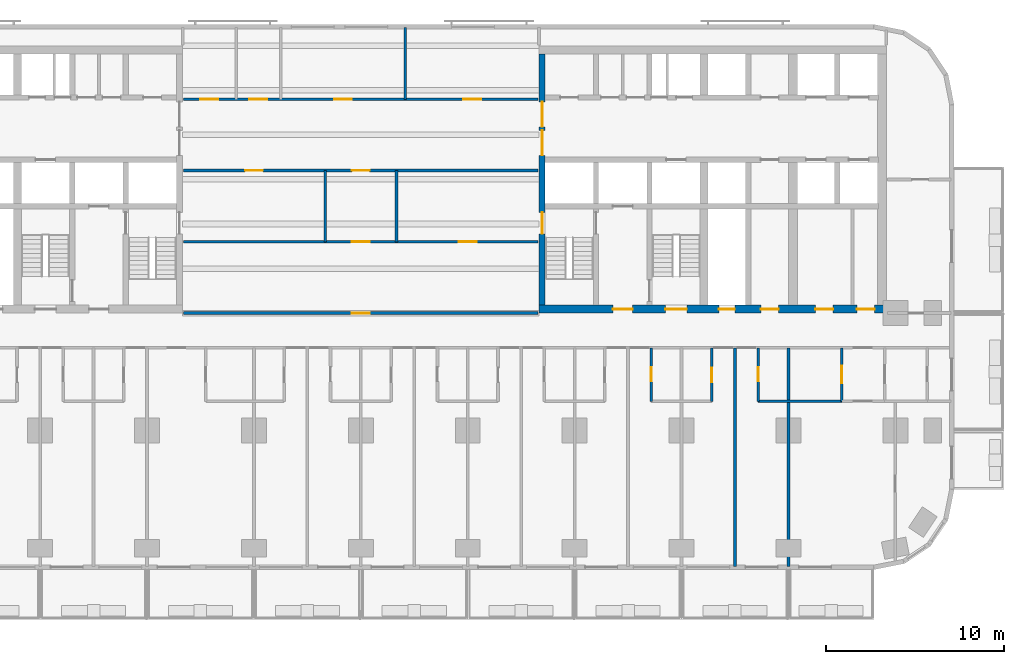
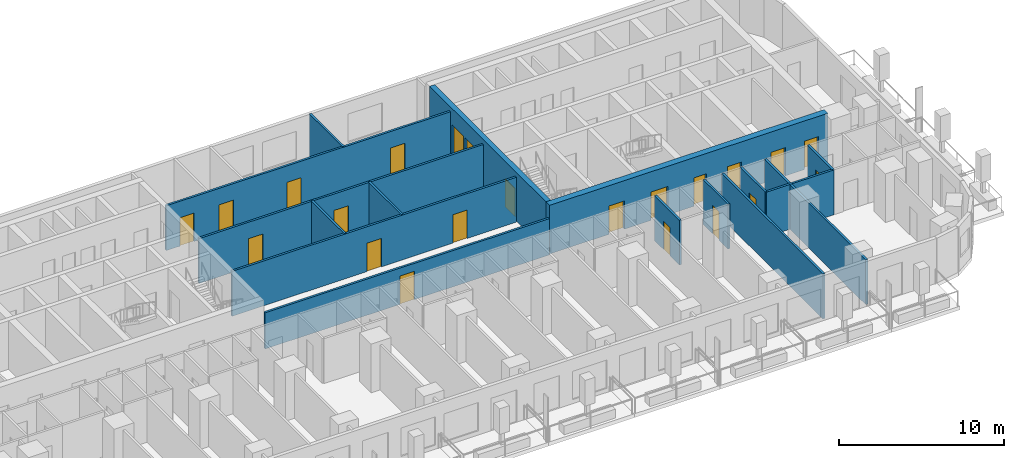
# One storey, part 7 of 15: 22 doors, 16 walls, 22 openings.
"""IFC4 building model written with IfcOpenShell, lengths in metres."""

from ifc_helpers import new_model, si_unit, direction, frame, frame_2d, origin, place, context, subcontext, project, spatial, rectangle, extrude, material, layer, layer_set, type_object, element, fill, save


model = new_model("IFC4")

# Units and contexts
model_context = context("Model", 3, precision=1e-05, world=origin(), true_north=direction((0.0, 1.0)))
body_context = subcontext(model_context, "Body", "Model", "MODEL_VIEW")
ifc_project = project(units=[si_unit("LENGTHUNIT", "METRE"), si_unit("AREAUNIT", "SQUARE_METRE"), si_unit("VOLUMEUNIT", "CUBIC_METRE"), si_unit("PLANEANGLEUNIT", "RADIAN"), si_unit("MASSUNIT", "GRAM", prefix="KILO")], contexts=[model_context])

# Site, building, storey
site_placement = place(None, origin())
site = spatial("IfcSite", under=ifc_project, at=site_placement, CompositionType="ELEMENT")
building_placement = place(site_placement, origin())
building = spatial("IfcBuilding", under=site, at=building_placement, Name="Torana Hotel and Residences", CompositionType="ELEMENT")
storey_placement = place(building_placement, frame((0.0, 0.0, 31.199951171875)))
storey = spatial("IfcBuildingStorey", under=building, at=storey_placement, Name="L06", CompositionType="ELEMENT", Elevation=31.199951171875)

# Wall, openings, doors
ifc_material_1 = material(Name="Concrete C80/95", Category="concrete")
ifc_layer_1 = layer(ifc_material_1, 0.35009765625)
ifc_layer_set_1 = layer_set([ifc_layer_1], Name="CORE WALL 350 C80/95")
wall_type_1 = type_object("IfcWallType", Name="CORE WALL 350 C80/95", PredefinedType="SHEAR", material=ifc_layer_set_1)
wall_1_placement = place(storey_placement, frame((10.175048828125, -14.550048828125, 0.0), z_axis=(0.0, 0.0, 1.0), x_axis=(0.0, 1.0, 0.0)))
wall_1 = element("IfcWall", 1, at=wall_1_placement, inside=storey, type_object=wall_type_1, Name="Core wall E arch", PredefinedType="SHEAR", context=body_context, shape_type="SweptSolid", body=[
    extrude(rectangle(XDim=14.10009765625, YDim=0.35009765625, at=frame_2d((7.050048828125, 0.0))), origin(), (0.0, 0.0, 1.0), 3.60009765625),
])
opening_1_placement = place(wall_1_placement, frame((8.39990234375, 0.0, 0.0)))
opening_1 = element("IfcOpeningElement", 2, at=opening_1_placement, cuts=wall_1, Name="Opening L06-19", PredefinedType="OPENING", context=body_context, shape_type="SweptSolid", body=[
    extrude(rectangle(XDim=1.39990234375, YDim=2.39990234375, at=frame_2d((0.699951171875, 1.199951171875))), frame((0.0, 0.18505859375, 0.0), z_axis=(0.0, -1.0, 0.0), x_axis=(1.0, 0.0, 0.0)), (0.0, 0.0, 1.0), 0.3701171875),
])
opening_2_placement = place(wall_1_placement, frame((10.0, 0.0, 0.0)))
opening_2 = element("IfcOpeningElement", 3, at=opening_2_placement, cuts=wall_1, Name="Opening L06-20", PredefinedType="OPENING", context=body_context, shape_type="SweptSolid", body=[
    extrude(rectangle(XDim=1.39990234375, YDim=2.39990234375, at=frame_2d((0.699951171875, 1.199951171875))), frame((0.0, 0.18505859375, 0.0), z_axis=(0.0, -1.0, 0.0), x_axis=(1.0, 0.0, 0.0)), (0.0, 0.0, 1.0), 0.3701171875),
])
opening_3_placement = place(wall_1_placement, frame((4.0, 0.0, 0.0)))
opening_3 = element("IfcOpeningElement", 4, at=opening_3_placement, cuts=wall_1, Name="Opening L06-21", PredefinedType="OPENING", context=body_context, shape_type="SweptSolid", body=[
    extrude(rectangle(XDim=1.199951171875, YDim=2.10009765625, at=frame_2d((0.60009765625, 1.050048828125))), frame((0.0, 0.18505859375, 0.0), z_axis=(0.0, -1.0, 0.0), x_axis=(1.0, 0.0, 0.0)), (0.0, 0.0, 1.0), 0.3701171875),
])
ifc_material_2 = material(Name="Steel S235", Category="steel")
door_type_1 = type_object("IfcDoorType", Name="LOBBY FIRE DOOR D4 1400x2400", OperationType="DOUBLE_DOOR_SINGLE_SWING", PredefinedType="DOOR", material=ifc_material_2)
door_1_placement = place(opening_1_placement, origin())
door_1 = element("IfcDoor", 5, at=door_1_placement, inside=storey, type_object=door_type_1, Name="Lobby-1 door L06", OperationType="DOUBLE_DOOR_SINGLE_SWING", OverallHeight=2.39990234375, OverallWidth=1.39990234375, PredefinedType="DOOR", context=body_context, shape_type="SweptSolid", body=[
    extrude(rectangle(XDim=1.39990234375, YDim=2.39990234375, at=frame_2d((0.699951171875, 1.199951171875))), frame((0.0, 0.02490234375, 0.0), z_axis=(0.0, -1.0, 0.0), x_axis=(1.0, 0.0, 0.0)), (0.0, 0.0, 1.0), 0.050048828125),
])
fill(opening_1, door_1)
door_2_placement = place(opening_2_placement, origin())
door_2 = element("IfcDoor", 6, at=door_2_placement, inside=storey, type_object=door_type_1, Name="Lobby-2 door L06", OperationType="DOUBLE_DOOR_SINGLE_SWING", OverallHeight=2.39990234375, OverallWidth=1.39990234375, PredefinedType="DOOR", context=body_context, shape_type="SweptSolid", body=[
    extrude(rectangle(XDim=1.39990234375, YDim=2.39990234375, at=frame_2d((0.699951171875, 1.199951171875))), frame((0.0, 0.02490234375, 0.0), z_axis=(0.0, -1.0, 0.0), x_axis=(1.0, 0.0, 0.0)), (0.0, 0.0, 1.0), 0.050048828125),
])
fill(opening_2, door_2)
ifc_material_3 = material(Name="Steel S235", Category="steel")
door_type_2 = type_object("IfcDoorType", Name="STAIR FIRE DOOR D3 1200x2100", OperationType="SINGLE_SWING_LEFT", PredefinedType="DOOR", material=ifc_material_3)
door_3_placement = place(opening_3_placement, frame((0.60009765625, 0.0, 0.0), z_axis=(0.0, 0.0, 1.0), x_axis=(-1.0, 0.0, 0.0)))
door_3 = element("IfcDoor", 7, at=door_3_placement, inside=storey, type_object=door_type_2, Name="Stair-A door L06", OperationType="SINGLE_SWING_RIGHT", OverallHeight=2.10009765625, OverallWidth=1.199951171875, PredefinedType="DOOR", context=body_context, shape_type="SweptSolid", body=[
    extrude(rectangle(XDim=1.199951171875, YDim=2.10009765625, at=frame_2d((0.0, 1.050048828125))), frame((0.0, -0.02490234375, 0.0), z_axis=(0.0, 1.0, 0.0), x_axis=(-1.0, 0.0, 0.0)), (0.0, 0.0, 1.0), 0.050048828125),
])
fill(opening_3, door_3)

ifc_material_4 = material(Name="Concrete C80/95", Category="concrete")
ifc_layer_2 = layer(ifc_material_4, 0.449951171875)
ifc_layer_set_2 = layer_set([ifc_layer_2], Name="CORE WALL 450 C80/95")
wall_type_2 = type_object("IfcWallType", Name="CORE WALL 450 C80/95", PredefinedType="SHEAR", material=ifc_layer_set_2)
wall_2_placement = place(storey_placement, frame((10.0, -14.77490234375, 0.0), z_axis=(0.0, 0.0, 1.0), x_axis=(1.0, 0.0, 0.0)))
wall_2 = element("IfcWall", 8, at=wall_2_placement, inside=storey, type_object=wall_type_2, Name="Core wall E front", PredefinedType="SHEAR", context=body_context, shape_type="SweptSolid", body=[
    extrude(rectangle(XDim=19.5, YDim=0.449951171875, at=frame_2d((9.75, 0.0))), origin(), (0.0, 0.0, 1.0), 3.60009765625),
])
opening_4_placement = place(wall_2_placement, frame((7.10009765625, 0.0, 0.0)))
opening_4 = element("IfcOpeningElement", 9, at=opening_4_placement, cuts=wall_2, Name="Opening L06-22", PredefinedType="OPENING", context=body_context, shape_type="SweptSolid", body=[
    extrude(rectangle(XDim=1.199951171875, YDim=2.10009765625, at=frame_2d((0.60009765625, 1.050048828125))), frame((0.0, 0.23486328125, 0.0), z_axis=(0.0, -1.0, 0.0), x_axis=(1.0, 0.0, 0.0)), (0.0, 0.0, 1.0), 0.469970703125),
])
opening_5_placement = place(wall_2_placement, frame((4.14990234375, 0.0, 0.0)))
opening_5 = element("IfcOpeningElement", 10, at=opening_5_placement, cuts=wall_2, Name="Opening L06-23", PredefinedType="OPENING", context=body_context, shape_type="SweptSolid", body=[
    extrude(rectangle(XDim=1.10009765625, YDim=2.10009765625, at=frame_2d((0.550048828125, 1.050048828125))), frame((0.0, 0.23486328125, 0.0), z_axis=(0.0, -1.0, 0.0), x_axis=(1.0, 0.0, 0.0)), (0.0, 0.0, 1.0), 0.469970703125),
])
opening_6_placement = place(wall_2_placement, frame((10.10009765625, 0.0, 0.0)))
opening_6 = element("IfcOpeningElement", 11, at=opening_6_placement, cuts=wall_2, Name="Opening L06-24", PredefinedType="OPENING", context=body_context, shape_type="SweptSolid", body=[
    extrude(rectangle(XDim=0.89990234375, YDim=2.10009765625, at=frame_2d((0.449951171875, 1.050048828125))), frame((0.0, 0.23486328125, 0.0), z_axis=(0.0, -1.0, 0.0), x_axis=(1.0, 0.0, 0.0)), (0.0, 0.0, 1.0), 0.469970703125),
])
opening_7_placement = place(wall_2_placement, frame((12.449951171875, 0.0, 0.0)))
opening_7 = element("IfcOpeningElement", 12, at=opening_7_placement, cuts=wall_2, Name="Opening L06-25", PredefinedType="OPENING", context=body_context, shape_type="SweptSolid", body=[
    extrude(rectangle(XDim=1.0, YDim=2.10009765625, at=frame_2d((0.5, 1.050048828125))), frame((0.0, 0.23486328125, 0.0), z_axis=(0.0, -1.0, 0.0), x_axis=(1.0, 0.0, 0.0)), (0.0, 0.0, 1.0), 0.469970703125),
])
opening_8_placement = place(wall_2_placement, frame((15.512451171875, 0.0, 0.0)))
opening_8 = element("IfcOpeningElement", 13, at=opening_8_placement, cuts=wall_2, Name="Opening L06-26", PredefinedType="OPENING", context=body_context, shape_type="SweptSolid", body=[
    extrude(rectangle(XDim=1.0, YDim=2.10009765625, at=frame_2d((0.5, 1.050048828125))), frame((0.0, 0.23486328125, 0.0), z_axis=(0.0, -1.0, 0.0), x_axis=(1.0, 0.0, 0.0)), (0.0, 0.0, 1.0), 0.469970703125),
])
opening_9_placement = place(wall_2_placement, frame((17.83740234375, 0.0, 0.0)))
opening_9 = element("IfcOpeningElement", 14, at=opening_9_placement, cuts=wall_2, Name="Opening L06-27", PredefinedType="OPENING", context=body_context, shape_type="SweptSolid", body=[
    extrude(rectangle(XDim=1.0, YDim=2.10009765625, at=frame_2d((0.5, 1.050048828125))), frame((0.0, 0.23486328125, 0.0), z_axis=(0.0, -1.0, 0.0), x_axis=(1.0, 0.0, 0.0)), (0.0, 0.0, 1.0), 0.469970703125),
])
ifc_material_5 = material(Name="Steel S235", Category="steel")
door_type_3 = type_object("IfcDoorType", Name="CORE ROOM FIRE DOOR D14 1000x2100", OperationType="SINGLE_SWING_LEFT", PredefinedType="DOOR", material=ifc_material_5)
door_4_placement = place(opening_7_placement, origin())
door_4 = element("IfcDoor", 15, at=door_4_placement, inside=storey, type_object=door_type_3, Name="M-Room door L06", OperationType="SINGLE_SWING_RIGHT", OverallHeight=2.10009765625, OverallWidth=1.0, PredefinedType="DOOR", context=body_context, shape_type="SweptSolid", body=[
    extrude(rectangle(XDim=1.0, YDim=2.10009765625, at=frame_2d((0.5, 1.050048828125))), frame((0.0, 0.02490234375, 0.0), z_axis=(0.0, -1.0, 0.0), x_axis=(1.0, 0.0, 0.0)), (0.0, 0.0, 1.0), 0.050048828125),
])
fill(opening_7, door_4)
door_5_placement = place(opening_8_placement, origin())
door_5 = element("IfcDoor", 16, at=door_5_placement, inside=storey, type_object=door_type_3, Name="L-A door L06", OperationType="SINGLE_SWING_RIGHT", OverallHeight=2.10009765625, OverallWidth=1.0, PredefinedType="DOOR", context=body_context, shape_type="SweptSolid", body=[
    extrude(rectangle(XDim=1.0, YDim=2.10009765625, at=frame_2d((0.5, 1.050048828125))), frame((0.0, 0.02490234375, 0.0), z_axis=(0.0, -1.0, 0.0), x_axis=(1.0, 0.0, 0.0)), (0.0, 0.0, 1.0), 0.050048828125),
])
fill(opening_8, door_5)
door_6_placement = place(opening_9_placement, origin())
door_6 = element("IfcDoor", 17, at=door_6_placement, inside=storey, type_object=door_type_3, Name="L-B door L06", OperationType="SINGLE_SWING_RIGHT", OverallHeight=2.10009765625, OverallWidth=1.0, PredefinedType="DOOR", context=body_context, shape_type="SweptSolid", body=[
    extrude(rectangle(XDim=1.0, YDim=2.10009765625, at=frame_2d((0.5, 1.050048828125))), frame((0.0, 0.02490234375, 0.0), z_axis=(0.0, -1.0, 0.0), x_axis=(1.0, 0.0, 0.0)), (0.0, 0.0, 1.0), 0.050048828125),
])
fill(opening_9, door_6)
ifc_material_6 = material(Name="Steel S235", Category="steel")
door_type_4 = type_object("IfcDoorType", Name="FIRE-FIGHTING LOBBY DOOR D8 1100x2100", OperationType="SINGLE_SWING_LEFT", PredefinedType="DOOR", material=ifc_material_6)
door_7_placement = place(opening_5_placement, origin())
door_7 = element("IfcDoor", 18, at=door_7_placement, inside=storey, type_object=door_type_4, Name="FF-lobby door L06", OperationType="SINGLE_SWING_RIGHT", OverallHeight=2.10009765625, OverallWidth=1.10009765625, PredefinedType="DOOR", context=body_context, shape_type="SweptSolid", body=[
    extrude(rectangle(XDim=1.10009765625, YDim=2.10009765625, at=frame_2d((0.550048828125, 1.050048828125))), frame((0.0, 0.02490234375, 0.0), z_axis=(0.0, -1.0, 0.0), x_axis=(1.0, 0.0, 0.0)), (0.0, 0.0, 1.0), 0.050048828125),
])
fill(opening_5, door_7)
ifc_material_7 = material(Name="Steel S235", Category="steel")
door_type_5 = type_object("IfcDoorType", Name="RISER ACCESS DOOR D5 900x2100", OperationType="SINGLE_SWING_LEFT", PredefinedType="DOOR", material=ifc_material_7)
door_8_placement = place(opening_6_placement, origin())
door_8 = element("IfcDoor", 19, at=door_8_placement, inside=storey, type_object=door_type_5, Name="M-Riser door L06", OperationType="SINGLE_SWING_RIGHT", OverallHeight=2.10009765625, OverallWidth=0.89990234375, PredefinedType="DOOR", context=body_context, shape_type="SweptSolid", body=[
    extrude(rectangle(XDim=0.89990234375, YDim=2.10009765625, at=frame_2d((0.449951171875, 1.050048828125))), frame((0.0, 0.02490234375, 0.0), z_axis=(0.0, -1.0, 0.0), x_axis=(1.0, 0.0, 0.0)), (0.0, 0.0, 1.0), 0.050048828125),
])
fill(opening_6, door_8)
door_9_placement = place(opening_4_placement, origin())
door_9 = element("IfcDoor", 20, at=door_9_placement, inside=storey, type_object=door_type_2, Name="Stair-B door L06", OperationType="SINGLE_SWING_RIGHT", OverallHeight=2.10009765625, OverallWidth=1.199951171875, PredefinedType="DOOR", context=body_context, shape_type="SweptSolid", body=[
    extrude(rectangle(XDim=1.199951171875, YDim=2.10009765625, at=frame_2d((0.60009765625, 1.050048828125))), frame((0.0, 0.02490234375, 0.0), z_axis=(0.0, -1.0, 0.0), x_axis=(1.0, 0.0, 0.0)), (0.0, 0.0, 1.0), 0.050048828125),
])
fill(opening_4, door_9)

# Wall, opening, door
ifc_material_8 = material(Name="Gypsum plaster")
ifc_layer_3 = layer(ifc_material_8, 0.014892578125, Name="Plaster", Category="finish")
ifc_material_9 = material(Name="Concrete blockwork", Category="masonry")
ifc_layer_4 = layer(ifc_material_9, 0.1201171875, Name="Blockwork", Category="structure")
ifc_layer_5 = layer(ifc_material_8, 0.014892578125, Name="Plaster", Category="finish")
ifc_layer_set_3 = layer_set([ifc_layer_3, ifc_layer_4, ifc_layer_5], Name="FIRE PARTITION 150 BLOCKWORK")
wall_type_3 = type_object("IfcWallType", Name="FIRE PARTITION 150 BLOCKWORK", PredefinedType="PARTITIONING", material=ifc_layer_set_3)
wall_3_placement = place(storey_placement, frame((27.0, -19.949951171875, 0.0), z_axis=(0.0, 0.0, 1.0), x_axis=(0.0, 1.0, 0.0)))
wall_3 = element("IfcWall", 21, at=wall_3_placement, inside=storey, type_object=wall_type_3, Name="Partition L06", PredefinedType="PARTITIONING", context=body_context, shape_type="SweptSolid", body=[
    extrude(rectangle(XDim=3.0, YDim=0.14990234375, at=frame_2d((1.5, 0.0))), origin(), (0.0, 0.0, 1.0), 3.320068359375),
])
opening_10_placement = place(wall_3_placement, frame((1.0, 0.0, 0.0)))
opening_10 = element("IfcOpeningElement", 22, at=opening_10_placement, cuts=wall_3, Name="Opening L06-85", PredefinedType="OPENING", context=body_context, shape_type="SweptSolid", body=[
    extrude(rectangle(XDim=1.0, YDim=2.10009765625, at=frame_2d((0.5, 1.050048828125))), frame((0.0, 0.0849609375, 0.0), z_axis=(0.0, -1.0, 0.0), x_axis=(1.0, 0.0, 0.0)), (0.0, 0.0, 1.0), 0.169921875),
])
ifc_material_10 = material(Name="Steel S235", Category="steel")
door_type_6 = type_object("IfcDoorType", Name="ENTRY FIRE DOOR D6 1000x2100", OperationType="SINGLE_SWING_LEFT", PredefinedType="DOOR", material=ifc_material_10)
door_10_placement = place(opening_10_placement, origin())
door_10 = element("IfcDoor", 23, at=door_10_placement, inside=storey, type_object=door_type_6, Name="Door L06", OperationType="SINGLE_SWING_RIGHT", OverallHeight=2.10009765625, OverallWidth=1.0, PredefinedType="DOOR", context=body_context, shape_type="SweptSolid", body=[
    extrude(rectangle(XDim=1.0, YDim=2.10009765625, at=frame_2d((0.5, 1.050048828125))), frame((0.0, 0.02490234375, 0.0), z_axis=(0.0, -1.0, 0.0), x_axis=(1.0, 0.0, 0.0)), (0.0, 0.0, 1.0), 0.050048828125),
])
fill(opening_10, door_10)

# Walls
for number, where, z_axis, x_axis, name in (
    (24, (2.0, -11.0, 0.0), (0.0, 0.0, 1.0), (0.0, 1.0, 0.0), "Partition L06"),
    (25, (-2.0, -11.0, 0.0), (0.0, 0.0, 1.0), (0.0, 1.0, 0.0), "Partition L06"),
):
    element("IfcWall", number, at=place(storey_placement, frame(where, z_axis=z_axis, x_axis=x_axis)), inside=storey, type_object=wall_type_3, Name=name, PredefinedType="PARTITIONING", context=body_context, shape_type="SweptSolid", body=[
        extrude(rectangle(XDim=4.0, YDim=0.14990234375, at=frame_2d((2.0, 0.0))), origin(), (0.0, 0.0, 1.0), 3.320068359375),
    ])

# Wall, opening, door
wall_4_placement = place(storey_placement, frame((-9.949951171875, -15.0, 0.0), z_axis=(0.0, 0.0, 1.0), x_axis=(1.0, 0.0, 0.0)))
wall_4 = element("IfcWall", 26, at=wall_4_placement, inside=storey, type_object=wall_type_3, Name="Partition L06", PredefinedType="PARTITIONING", context=body_context, shape_type="SweptSolid", body=[
    extrude(rectangle(XDim=19.89990234375, YDim=0.14990234375, at=frame_2d((9.949951171875, 0.0))), origin(), (0.0, 0.0, 1.0), 2.68408203125),
])
opening_11_placement = place(wall_4_placement, frame((9.449951171875, 0.0, 0.0)))
opening_11 = element("IfcOpeningElement", 27, at=opening_11_placement, cuts=wall_4, Name="Opening L06-37", PredefinedType="OPENING", context=body_context, shape_type="SweptSolid", body=[
    extrude(rectangle(XDim=1.0, YDim=2.10009765625, at=frame_2d((0.5, 1.050048828125))), frame((0.0, 0.0849609375, 0.0), z_axis=(0.0, -1.0, 0.0), x_axis=(1.0, 0.0, 0.0)), (0.0, 0.0, 1.0), 0.169921875),
])
door_11_placement = place(opening_11_placement, origin())
door_11 = element("IfcDoor", 28, at=door_11_placement, inside=storey, type_object=door_type_6, Name="Door L06", OperationType="SINGLE_SWING_RIGHT", OverallHeight=2.10009765625, OverallWidth=1.0, PredefinedType="DOOR", context=body_context, shape_type="SweptSolid", body=[
    extrude(rectangle(XDim=1.0, YDim=2.10009765625, at=frame_2d((0.5, 1.050048828125))), frame((0.0, 0.02490234375, 0.0), z_axis=(0.0, -1.0, 0.0), x_axis=(1.0, 0.0, 0.0)), (0.0, 0.0, 1.0), 0.050048828125),
])
fill(opening_11, door_11)

# Wall, openings, doors
wall_5_placement = place(storey_placement, frame((-9.949951171875, -11.0, 0.0), z_axis=(0.0, 0.0, 1.0), x_axis=(1.0, 0.0, 0.0)))
wall_5 = element("IfcWall", 29, at=wall_5_placement, inside=storey, type_object=wall_type_3, Name="Partition L06", PredefinedType="PARTITIONING", context=body_context, shape_type="SweptSolid", body=[
    extrude(rectangle(XDim=19.89990234375, YDim=0.14990234375, at=frame_2d((9.949951171875, 0.0))), origin(), (0.0, 0.0, 1.0), 3.320068359375),
])
opening_12_placement = place(wall_5_placement, frame((9.449951171875, 0.0, 0.0)))
opening_12 = element("IfcOpeningElement", 30, at=opening_12_placement, cuts=wall_5, Name="Opening L06-57", PredefinedType="OPENING", context=body_context, shape_type="SweptSolid", body=[
    extrude(rectangle(XDim=1.0, YDim=2.10009765625, at=frame_2d((0.5, 1.050048828125))), frame((0.0, 0.0849609375, 0.0), z_axis=(0.0, -1.0, 0.0), x_axis=(1.0, 0.0, 0.0)), (0.0, 0.0, 1.0), 0.169921875),
])
opening_13_placement = place(wall_5_placement, frame((15.449951171875, 0.0, 0.0)))
opening_13 = element("IfcOpeningElement", 31, at=opening_13_placement, cuts=wall_5, Name="Opening L06-58", PredefinedType="OPENING", context=body_context, shape_type="SweptSolid", body=[
    extrude(rectangle(XDim=1.0, YDim=2.10009765625, at=frame_2d((0.5, 1.050048828125))), frame((0.0, 0.0849609375, 0.0), z_axis=(0.0, -1.0, 0.0), x_axis=(1.0, 0.0, 0.0)), (0.0, 0.0, 1.0), 0.169921875),
])
door_12_placement = place(opening_12_placement, origin())
door_12 = element("IfcDoor", 32, at=door_12_placement, inside=storey, type_object=door_type_6, Name="Door L06", OperationType="SINGLE_SWING_RIGHT", OverallHeight=2.10009765625, OverallWidth=1.0, PredefinedType="DOOR", context=body_context, shape_type="SweptSolid", body=[
    extrude(rectangle(XDim=1.0, YDim=2.10009765625, at=frame_2d((0.5, 1.050048828125))), frame((0.0, 0.02490234375, 0.0), z_axis=(0.0, -1.0, 0.0), x_axis=(1.0, 0.0, 0.0)), (0.0, 0.0, 1.0), 0.050048828125),
])
fill(opening_12, door_12)
door_13_placement = place(opening_13_placement, origin())
door_13 = element("IfcDoor", 33, at=door_13_placement, inside=storey, type_object=door_type_6, Name="Door L06", OperationType="SINGLE_SWING_RIGHT", OverallHeight=2.10009765625, OverallWidth=1.0, PredefinedType="DOOR", context=body_context, shape_type="SweptSolid", body=[
    extrude(rectangle(XDim=1.0, YDim=2.10009765625, at=frame_2d((0.5, 1.050048828125))), frame((0.0, 0.02490234375, 0.0), z_axis=(0.0, -1.0, 0.0), x_axis=(1.0, 0.0, 0.0)), (0.0, 0.0, 1.0), 0.050048828125),
])
fill(opening_13, door_13)

wall_6_placement = place(storey_placement, frame((-9.949951171875, -7.0, 0.0), z_axis=(0.0, 0.0, 1.0), x_axis=(1.0, 0.0, 0.0)))
wall_6 = element("IfcWall", 34, at=wall_6_placement, inside=storey, type_object=wall_type_3, Name="Partition L06", PredefinedType="PARTITIONING", context=body_context, shape_type="SweptSolid", body=[
    extrude(rectangle(XDim=19.89990234375, YDim=0.14990234375, at=frame_2d((9.949951171875, 0.0))), origin(), (0.0, 0.0, 1.0), 3.320068359375),
])
opening_14_placement = place(wall_6_placement, frame((9.449951171875, 0.0, 0.0)))
opening_14 = element("IfcOpeningElement", 35, at=opening_14_placement, cuts=wall_6, Name="Opening L06-59", PredefinedType="OPENING", context=body_context, shape_type="SweptSolid", body=[
    extrude(rectangle(XDim=1.0, YDim=2.10009765625, at=frame_2d((0.5, 1.050048828125))), frame((0.0, 0.0849609375, 0.0), z_axis=(0.0, -1.0, 0.0), x_axis=(1.0, 0.0, 0.0)), (0.0, 0.0, 1.0), 0.169921875),
])
opening_15_placement = place(wall_6_placement, frame((3.449951171875, 0.0, 0.0)))
opening_15 = element("IfcOpeningElement", 36, at=opening_15_placement, cuts=wall_6, Name="Opening L06-60", PredefinedType="OPENING", context=body_context, shape_type="SweptSolid", body=[
    extrude(rectangle(XDim=1.0, YDim=2.10009765625, at=frame_2d((0.5, 1.050048828125))), frame((0.0, 0.0849609375, 0.0), z_axis=(0.0, -1.0, 0.0), x_axis=(1.0, 0.0, 0.0)), (0.0, 0.0, 1.0), 0.169921875),
])
door_14_placement = place(opening_14_placement, origin())
door_14 = element("IfcDoor", 37, at=door_14_placement, inside=storey, type_object=door_type_6, Name="Door L06", OperationType="SINGLE_SWING_RIGHT", OverallHeight=2.10009765625, OverallWidth=1.0, PredefinedType="DOOR", context=body_context, shape_type="SweptSolid", body=[
    extrude(rectangle(XDim=1.0, YDim=2.10009765625, at=frame_2d((0.5, 1.050048828125))), frame((0.0, 0.02490234375, 0.0), z_axis=(0.0, -1.0, 0.0), x_axis=(1.0, 0.0, 0.0)), (0.0, 0.0, 1.0), 0.050048828125),
])
fill(opening_14, door_14)
door_15_placement = place(opening_15_placement, frame((0.5, 0.0, 0.0), z_axis=(0.0, 0.0, 1.0), x_axis=(-1.0, 0.0, 0.0)))
door_15 = element("IfcDoor", 38, at=door_15_placement, inside=storey, type_object=door_type_6, Name="Door L06", OperationType="SINGLE_SWING_LEFT", OverallHeight=2.10009765625, OverallWidth=1.0, PredefinedType="DOOR", context=body_context, shape_type="SweptSolid", body=[
    extrude(rectangle(XDim=1.0, YDim=2.10009765625, at=frame_2d((0.0, 1.050048828125))), frame((0.0, -0.02490234375, 0.0), z_axis=(0.0, 1.0, 0.0), x_axis=(-1.0, 0.0, 0.0)), (0.0, 0.0, 1.0), 0.050048828125),
])
fill(opening_15, door_15)

wall_7_placement = place(storey_placement, frame((-9.949951171875, -3.0, 0.0), z_axis=(0.0, 0.0, 1.0), x_axis=(1.0, 0.0, 0.0)))
wall_7 = element("IfcWall", 39, at=wall_7_placement, inside=storey, type_object=wall_type_3, Name="Partition L06", PredefinedType="PARTITIONING", context=body_context, shape_type="SweptSolid", body=[
    extrude(rectangle(XDim=19.89990234375, YDim=0.14990234375, at=frame_2d((9.949951171875, 0.0))), origin(), (0.0, 0.0, 1.0), 3.320068359375),
])
opening_16_placement = place(wall_7_placement, frame((0.949951171875, 0.0, 0.0)))
opening_16 = element("IfcOpeningElement", 40, at=opening_16_placement, cuts=wall_7, Name="Opening L06-61", PredefinedType="OPENING", context=body_context, shape_type="SweptSolid", body=[
    extrude(rectangle(XDim=1.0, YDim=2.10009765625, at=frame_2d((0.5, 1.050048828125))), frame((0.0, 0.0849609375, 0.0), z_axis=(0.0, -1.0, 0.0), x_axis=(1.0, 0.0, 0.0)), (0.0, 0.0, 1.0), 0.169921875),
])
opening_17_placement = place(wall_7_placement, frame((3.699951171875, 0.0, 0.0)))
opening_17 = element("IfcOpeningElement", 41, at=opening_17_placement, cuts=wall_7, Name="Opening L06-62", PredefinedType="OPENING", context=body_context, shape_type="SweptSolid", body=[
    extrude(rectangle(XDim=1.0, YDim=2.10009765625, at=frame_2d((0.5, 1.050048828125))), frame((0.0, 0.0849609375, 0.0), z_axis=(0.0, -1.0, 0.0), x_axis=(1.0, 0.0, 0.0)), (0.0, 0.0, 1.0), 0.169921875),
])
opening_18_placement = place(wall_7_placement, frame((8.449951171875, 0.0, 0.0)))
opening_18 = element("IfcOpeningElement", 42, at=opening_18_placement, cuts=wall_7, Name="Opening L06-63", PredefinedType="OPENING", context=body_context, shape_type="SweptSolid", body=[
    extrude(rectangle(XDim=1.0, YDim=2.10009765625, at=frame_2d((0.5, 1.050048828125))), frame((0.0, 0.0849609375, 0.0), z_axis=(0.0, -1.0, 0.0), x_axis=(1.0, 0.0, 0.0)), (0.0, 0.0, 1.0), 0.169921875),
])
opening_19_placement = place(wall_7_placement, frame((15.699951171875, 0.0, 0.0)))
opening_19 = element("IfcOpeningElement", 43, at=opening_19_placement, cuts=wall_7, Name="Opening L06-64", PredefinedType="OPENING", context=body_context, shape_type="SweptSolid", body=[
    extrude(rectangle(XDim=1.0, YDim=2.10009765625, at=frame_2d((0.5, 1.050048828125))), frame((0.0, 0.0849609375, 0.0), z_axis=(0.0, -1.0, 0.0), x_axis=(1.0, 0.0, 0.0)), (0.0, 0.0, 1.0), 0.169921875),
])
door_16_placement = place(opening_16_placement, origin())
door_16 = element("IfcDoor", 44, at=door_16_placement, inside=storey, type_object=door_type_6, Name="Door L06", OperationType="SINGLE_SWING_RIGHT", OverallHeight=2.10009765625, OverallWidth=1.0, PredefinedType="DOOR", context=body_context, shape_type="SweptSolid", body=[
    extrude(rectangle(XDim=1.0, YDim=2.10009765625, at=frame_2d((0.5, 1.050048828125))), frame((0.0, 0.02490234375, 0.0), z_axis=(0.0, -1.0, 0.0), x_axis=(1.0, 0.0, 0.0)), (0.0, 0.0, 1.0), 0.050048828125),
])
fill(opening_16, door_16)
door_17_placement = place(opening_17_placement, origin())
door_17 = element("IfcDoor", 45, at=door_17_placement, inside=storey, type_object=door_type_6, Name="Door L06", OperationType="SINGLE_SWING_RIGHT", OverallHeight=2.10009765625, OverallWidth=1.0, PredefinedType="DOOR", context=body_context, shape_type="SweptSolid", body=[
    extrude(rectangle(XDim=1.0, YDim=2.10009765625, at=frame_2d((0.5, 1.050048828125))), frame((0.0, 0.02490234375, 0.0), z_axis=(0.0, -1.0, 0.0), x_axis=(1.0, 0.0, 0.0)), (0.0, 0.0, 1.0), 0.050048828125),
])
fill(opening_17, door_17)
door_18_placement = place(opening_18_placement, origin())
door_18 = element("IfcDoor", 46, at=door_18_placement, inside=storey, type_object=door_type_6, Name="Door L06", OperationType="SINGLE_SWING_RIGHT", OverallHeight=2.10009765625, OverallWidth=1.0, PredefinedType="DOOR", context=body_context, shape_type="SweptSolid", body=[
    extrude(rectangle(XDim=1.0, YDim=2.10009765625, at=frame_2d((0.5, 1.050048828125))), frame((0.0, 0.02490234375, 0.0), z_axis=(0.0, -1.0, 0.0), x_axis=(1.0, 0.0, 0.0)), (0.0, 0.0, 1.0), 0.050048828125),
])
fill(opening_18, door_18)
door_19_placement = place(opening_19_placement, origin())
door_19 = element("IfcDoor", 47, at=door_19_placement, inside=storey, type_object=door_type_6, Name="Door L06", OperationType="SINGLE_SWING_RIGHT", OverallHeight=2.10009765625, OverallWidth=1.0, PredefinedType="DOOR", context=body_context, shape_type="SweptSolid", body=[
    extrude(rectangle(XDim=1.0, YDim=2.10009765625, at=frame_2d((0.5, 1.050048828125))), frame((0.0, 0.02490234375, 0.0), z_axis=(0.0, -1.0, 0.0), x_axis=(1.0, 0.0, 0.0)), (0.0, 0.0, 1.0), 0.050048828125),
])
fill(opening_19, door_19)

# Wall
ifc_material_11 = material(Name="Gypsum plasterboard")
ifc_layer_6 = layer(ifc_material_11, 0.012451171875, Name="Plasterboard", Category="finish")
ifc_layer_7 = layer(ifc_material_11, 0.012451171875, Name="Plasterboard", Category="finish")
ifc_material_12 = material(Name="Steel S280GD", Category="steel")
ifc_layer_8 = layer(ifc_material_12, 0.10009765625, Name="Steel studs with mineral wool", Category="insulation")
ifc_layer_9 = layer(ifc_material_11, 0.012451171875, Name="Plasterboard", Category="finish")
ifc_layer_10 = layer(ifc_material_11, 0.012451171875, Name="Plasterboard", Category="finish")
ifc_layer_set_4 = layer_set([ifc_layer_6, ifc_layer_7, ifc_layer_8, ifc_layer_9, ifc_layer_10], Name="PARTITION 150 PLASTERBOARD")
wall_type_4 = type_object("IfcWallType", Name="PARTITION 150 PLASTERBOARD", PredefinedType="PARTITIONING", material=ifc_layer_set_4)
wall_8_placement = place(storey_placement, frame((24.0, -29.219970703125, 0.0), z_axis=(0.0, 0.0, 1.0), x_axis=(0.0, 1.0, 0.0)))
element("IfcWall", 48, at=wall_8_placement, inside=storey, type_object=wall_type_4, Name="Partition L06", PredefinedType="PARTITIONING", context=body_context, shape_type="SweptSolid", body=[
    extrude(rectangle(XDim=12.27001953125, YDim=0.14990234375, at=frame_2d((6.135009765625, 0.0))), origin(), (0.0, 0.0, 1.0), 3.320068359375),
])

# Wall, opening, door
wall_9_placement = place(storey_placement, frame((22.300048828125, -19.949951171875, 0.0), z_axis=(0.0, 0.0, 1.0), x_axis=(0.0, 1.0, 0.0)))
wall_9 = element("IfcWall", 49, at=wall_9_placement, inside=storey, type_object=wall_type_4, Name="Partition L06", PredefinedType="PARTITIONING", context=body_context, shape_type="SweptSolid", body=[
    extrude(rectangle(XDim=3.0, YDim=0.14990234375, at=frame_2d((1.5, 0.0))), origin(), (0.0, 0.0, 1.0), 3.320068359375),
])
opening_20_placement = place(wall_9_placement, frame((1.1201171875, 0.0, 0.0)))
opening_20 = element("IfcOpeningElement", 50, at=opening_20_placement, cuts=wall_9, Name="Opening L06-79", PredefinedType="OPENING", context=body_context, shape_type="SweptSolid", body=[
    extrude(rectangle(XDim=0.800048828125, YDim=2.10009765625, at=frame_2d((0.39990234375, 1.050048828125))), frame((0.0, 0.0849609375, 0.0), z_axis=(0.0, -1.0, 0.0), x_axis=(1.0, 0.0, 0.0)), (0.0, 0.0, 1.0), 0.169921875),
])
ifc_material_13 = material(Name="Timber door, painted", Category="wood")
door_type_7 = type_object("IfcDoorType", Name="BATH DOOR D13 800x2100", OperationType="SINGLE_SWING_LEFT", PredefinedType="DOOR", material=ifc_material_13)
door_20_placement = place(opening_20_placement, origin())
door_20 = element("IfcDoor", 51, at=door_20_placement, inside=storey, type_object=door_type_7, Name="Door L06", OperationType="SINGLE_SWING_LEFT", OverallHeight=2.10009765625, OverallWidth=0.800048828125, PredefinedType="DOOR", context=body_context, shape_type="SweptSolid", body=[
    extrude(rectangle(XDim=0.800048828125, YDim=2.10009765625, at=frame_2d((0.39990234375, 1.050048828125))), frame((0.0, 0.02490234375, 0.0), z_axis=(0.0, -1.0, 0.0), x_axis=(1.0, 0.0, 0.0)), (0.0, 0.0, 1.0), 0.050048828125),
])
fill(opening_20, door_20)

# Wall
wall_10_placement = place(storey_placement, frame((21.0, -29.219970703125, 0.0), z_axis=(0.0, 0.0, 1.0), x_axis=(0.0, 1.0, 0.0)))
element("IfcWall", 52, at=wall_10_placement, inside=storey, type_object=wall_type_4, Name="Partition L06", PredefinedType="PARTITIONING", context=body_context, shape_type="SweptSolid", body=[
    extrude(rectangle(XDim=12.27001953125, YDim=0.14990234375, at=frame_2d((6.135009765625, 0.0))), origin(), (0.0, 0.0, 1.0), 3.320068359375),
])

# Wall, opening, door
wall_11_placement = place(storey_placement, frame((19.699951171875, -19.949951171875, 0.0), z_axis=(0.0, 0.0, 1.0), x_axis=(0.0, 1.0, 0.0)))
wall_11 = element("IfcWall", 53, at=wall_11_placement, inside=storey, type_object=wall_type_4, Name="Partition L06", PredefinedType="PARTITIONING", context=body_context, shape_type="SweptSolid", body=[
    extrude(rectangle(XDim=3.0, YDim=0.14990234375, at=frame_2d((1.5, 0.0))), origin(), (0.0, 0.0, 1.0), 3.320068359375),
])
opening_21_placement = place(wall_11_placement, frame((1.080078125, 0.0, 0.0)))
opening_21 = element("IfcOpeningElement", 54, at=opening_21_placement, cuts=wall_11, Name="Opening L06-78", PredefinedType="OPENING", context=body_context, shape_type="SweptSolid", body=[
    extrude(rectangle(XDim=0.800048828125, YDim=2.10009765625, at=frame_2d((0.39990234375, 1.050048828125))), frame((0.0, 0.0849609375, 0.0), z_axis=(0.0, -1.0, 0.0), x_axis=(1.0, 0.0, 0.0)), (0.0, 0.0, 1.0), 0.169921875),
])
door_21_placement = place(opening_21_placement, origin())
door_21 = element("IfcDoor", 55, at=door_21_placement, inside=storey, type_object=door_type_7, Name="Door L06", OperationType="SINGLE_SWING_RIGHT", OverallHeight=2.10009765625, OverallWidth=0.800048828125, PredefinedType="DOOR", context=body_context, shape_type="SweptSolid", body=[
    extrude(rectangle(XDim=0.800048828125, YDim=2.10009765625, at=frame_2d((0.39990234375, 1.050048828125))), frame((0.0, 0.02490234375, 0.0), z_axis=(0.0, -1.0, 0.0), x_axis=(1.0, 0.0, 0.0)), (0.0, 0.0, 1.0), 0.050048828125),
])
fill(opening_21, door_21)

wall_12_placement = place(storey_placement, frame((16.300048828125, -19.949951171875, 0.0), z_axis=(0.0, 0.0, 1.0), x_axis=(0.0, 1.0, 0.0)))
wall_12 = element("IfcWall", 56, at=wall_12_placement, inside=storey, type_object=wall_type_4, Name="Partition L06", PredefinedType="PARTITIONING", context=body_context, shape_type="SweptSolid", body=[
    extrude(rectangle(XDim=3.0, YDim=0.14990234375, at=frame_2d((1.5, 0.0))), origin(), (0.0, 0.0, 1.0), 3.320068359375),
])
opening_22_placement = place(wall_12_placement, frame((1.1201171875, 0.0, 0.0)))
opening_22 = element("IfcOpeningElement", 57, at=opening_22_placement, cuts=wall_12, Name="Opening L06-77", PredefinedType="OPENING", context=body_context, shape_type="SweptSolid", body=[
    extrude(rectangle(XDim=0.800048828125, YDim=2.10009765625, at=frame_2d((0.39990234375, 1.050048828125))), frame((0.0, 0.0849609375, 0.0), z_axis=(0.0, -1.0, 0.0), x_axis=(1.0, 0.0, 0.0)), (0.0, 0.0, 1.0), 0.169921875),
])
door_22_placement = place(opening_22_placement, origin())
door_22 = element("IfcDoor", 58, at=door_22_placement, inside=storey, type_object=door_type_7, Name="Door L06", OperationType="SINGLE_SWING_LEFT", OverallHeight=2.10009765625, OverallWidth=0.800048828125, PredefinedType="DOOR", context=body_context, shape_type="SweptSolid", body=[
    extrude(rectangle(XDim=0.800048828125, YDim=2.10009765625, at=frame_2d((0.39990234375, 1.050048828125))), frame((0.0, 0.02490234375, 0.0), z_axis=(0.0, -1.0, 0.0), x_axis=(1.0, 0.0, 0.0)), (0.0, 0.0, 1.0), 0.050048828125),
])
fill(opening_22, door_22)

# Walls
wall_13_placement = place(storey_placement, frame((2.5, -3.0, 0.0), z_axis=(0.0, 0.0, 1.0), x_axis=(0.0, 1.0, 0.0)))
element("IfcWall", 59, at=wall_13_placement, inside=storey, type_object=wall_type_4, Name="Partition L06", PredefinedType="PARTITIONING", context=body_context, shape_type="SweptSolid", body=[
    extrude(rectangle(XDim=4.02001953125, YDim=0.14990234375, at=frame_2d((2.010009765625, 0.0))), origin(), (0.0, 0.0, 1.0), 3.320068359375),
])
wall_14_placement = place(storey_placement, frame((22.300048828125, -19.949951171875, 0.0), z_axis=(0.0, 0.0, 1.0), x_axis=(1.0, 0.0, 0.0)))
element("IfcWall", 60, at=wall_14_placement, inside=storey, type_object=wall_type_4, Name="Partition L06", PredefinedType="PARTITIONING", context=body_context, shape_type="SweptSolid", body=[
    extrude(rectangle(XDim=4.699951171875, YDim=0.14990234375, at=frame_2d((2.35009765625, 0.0))), origin(), (0.0, 0.0, 1.0), 3.320068359375),
])

save(model, "model.ifc")
